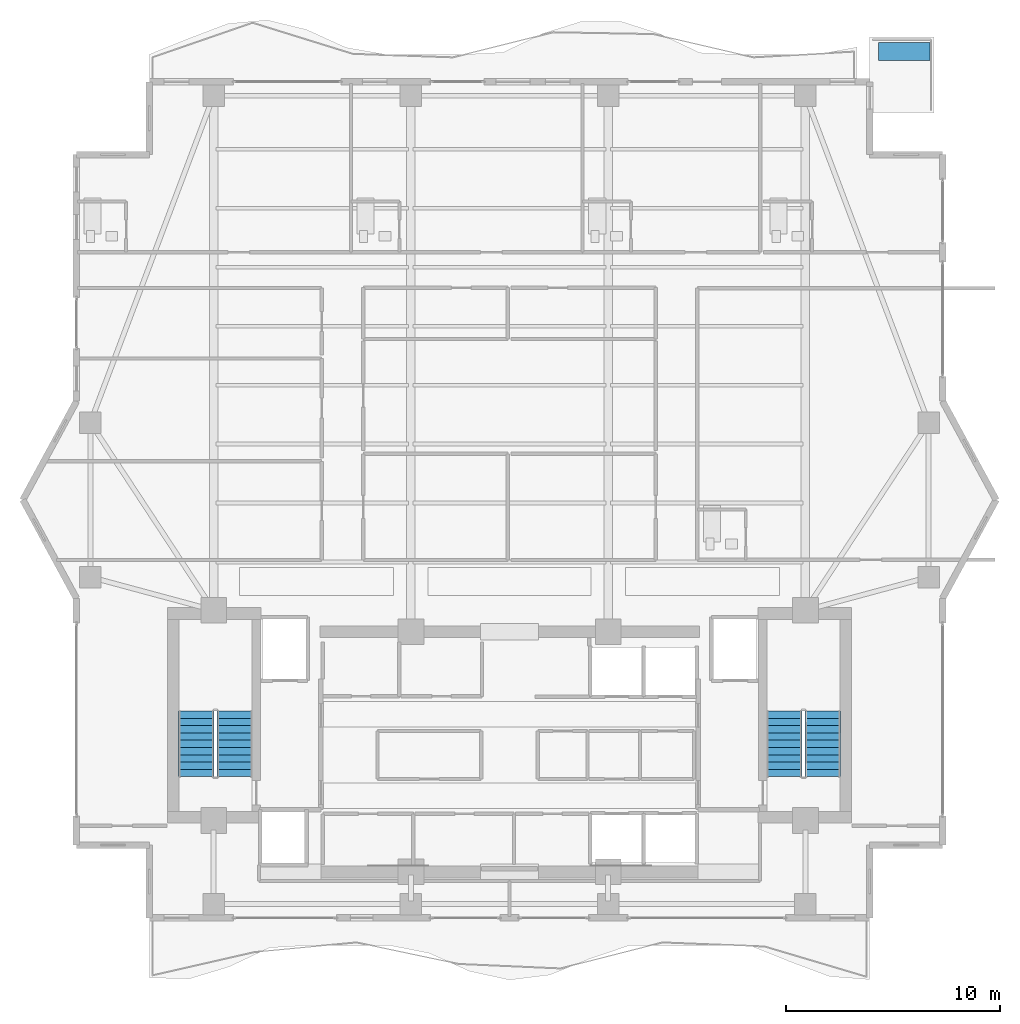
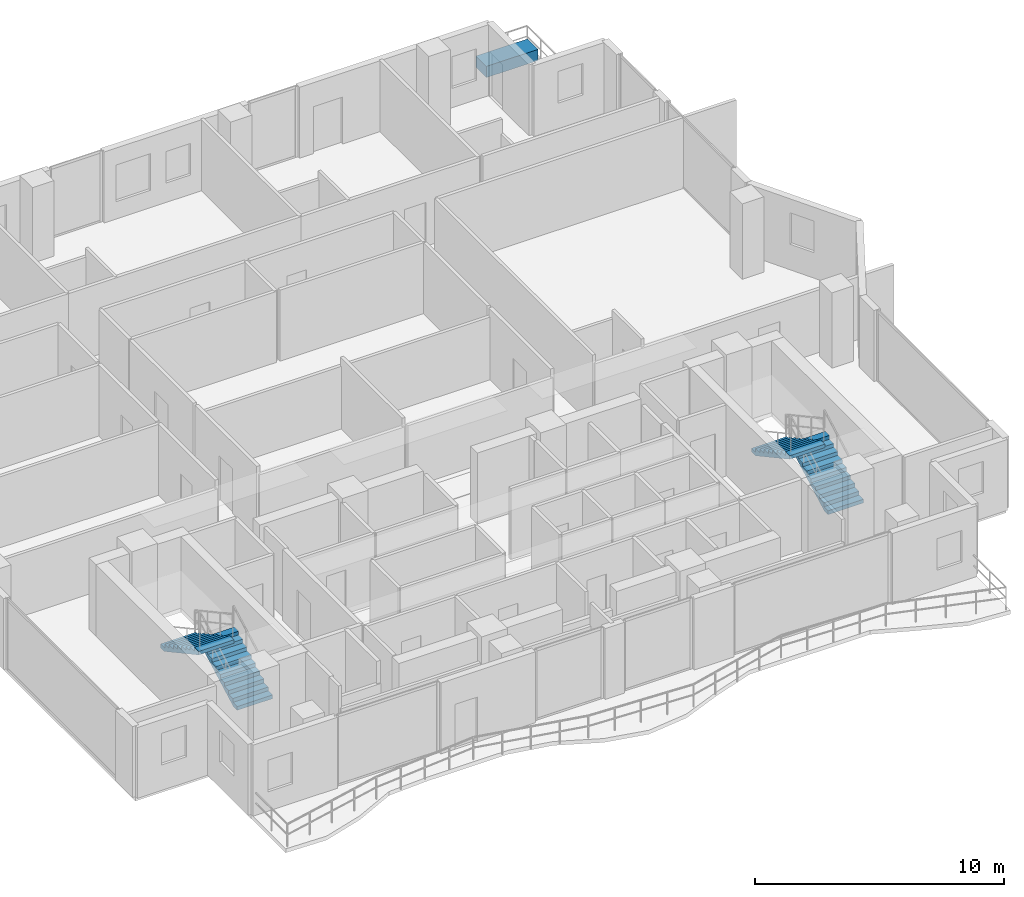
# One storey, part 21 of 24: 4 stair flights, 1 building element part, 2 elements without a shape of their own.
"""IFC4 building model written with IfcOpenShell, lengths in metres."""

import ifcopenshell
import ifcopenshell.guid

model = None  # the IFC model being written
_history = None  # IfcOwnerHistory: only IFC2X3 demands one
_inside = {}  # id of a spatial element -> (the spatial element, [elements in it])
_under = {}  # id of a project, library or spatial element -> (it, [spatial elements below it])
_declared = {}  # id of a project -> (the project, [libraries it declares])
_typed = {}  # id of a type object -> (the type object, [elements of that type])
_made_of = {}  # id of a material, layer set ... -> (it, [elements and type objects made of it])


def new_model(schema):
    """Start an empty IFC model of exactly this schema.

    Asked for "IFC4X3", IfcOpenShell would pick the latest addendum, in which some entities
    have other attributes; the version numbers below select the first issue.
    IFC2X3 requires an IfcOwnerHistory on every rooted entity: one is made here for all.
    """
    global model, _history
    if schema == "IFC4X3":
        model = ifcopenshell.file(schema_version=(4, 3, 0, 0))
    else:
        model = ifcopenshell.file(schema=schema)
    _inside.clear()
    _under.clear()
    _declared.clear()
    _typed.clear()
    _made_of.clear()
    _history = None
    if model.schema == "IFC2X3":
        org = make("IfcOrganization", Name="unknown")
        user = make(
            "IfcPersonAndOrganization",
            ThePerson=make("IfcPerson", FamilyName="unknown"),
            TheOrganization=org,
        )
        app = make(
            "IfcApplication",
            ApplicationDeveloper=org,
            Version="unknown",
            ApplicationFullName="unknown",
            ApplicationIdentifier="unknown",
        )
        _history = make(
            "IfcOwnerHistory",
            OwningUser=user,
            OwningApplication=app,
            ChangeAction="ADDED",
            CreationDate=0,
        )
    return model


def make(cls, **values):
    """One entity of the class cls with the attributes given. An attribute that is None is left unset."""
    return model.create_entity(
        cls, **{name: value for name, value in values.items() if value is not None}
    )


def rooted(cls, **values):
    """An entity with a GlobalId (a new one), such as an element, a storey or a relation."""
    return make(cls, GlobalId=ifcopenshell.guid.new(), OwnerHistory=_history, **values)


def si_unit(unit_type, name, prefix=None):
    """IfcSIUnit, for example si_unit("LENGTHUNIT", "METRE", prefix="MILLI")."""
    return make("IfcSIUnit", UnitType=unit_type, Prefix=prefix, Name=name)


def assignment(units):
    """IfcUnitAssignment: the units of a project."""
    return None if units is None else make("IfcUnitAssignment", Units=units)


def point(xyz):
    """IfcCartesianPoint."""
    return None if xyz is None else make("IfcCartesianPoint", Coordinates=xyz)


def direction(xyz):
    """IfcDirection."""
    return None if xyz is None else make("IfcDirection", DirectionRatios=xyz)


def frame(location, z_axis=None, x_axis=None):
    """IfcAxis2Placement3D, a coordinate frame: its origin and axes. An axis left out is left unset."""
    return make(
        "IfcAxis2Placement3D",
        Location=point(location),
        Axis=direction(z_axis),
        RefDirection=direction(x_axis),
    )


def frame_2d(location, x_axis=None):
    """IfcAxis2Placement2D, a coordinate frame in the plane: its origin and x axis."""
    return make(
        "IfcAxis2Placement2D", Location=point(location), RefDirection=direction(x_axis)
    )


def origin():
    """The frame at (0, 0, 0) with its axes left unset."""
    return frame((0.0, 0.0, 0.0))


def origin_2d():
    """The frame at (0, 0) in the plane with its x axis left unset."""
    return frame_2d((0.0, 0.0))


def place(relative_to, where):
    """IfcLocalPlacement: puts the frame where relative to a parent placement (None: the world)."""
    return make(
        "IfcLocalPlacement", PlacementRelTo=relative_to, RelativePlacement=where
    )


def context(
    kind, dimensions, precision=None, world=None, true_north=None, identifier=None
):
    """IfcGeometricRepresentationContext, for example the 3D "Model" context."""
    return make(
        "IfcGeometricRepresentationContext",
        ContextIdentifier=identifier,
        ContextType=kind,
        CoordinateSpaceDimension=dimensions,
        Precision=precision,
        WorldCoordinateSystem=world,
        TrueNorth=true_north,
    )


def subcontext(parent, identifier, kind, view, scale=None):
    """IfcGeometricRepresentationSubContext, for example "Body" below "Model"."""
    return make(
        "IfcGeometricRepresentationSubContext",
        ContextIdentifier=identifier,
        ContextType=kind,
        ParentContext=parent,
        TargetScale=scale,
        TargetView=view,
    )


def project(units=None, contexts=None):
    """IfcProject with its units and contexts."""
    return rooted(
        "IfcProject",
        Name="project",
        RepresentationContexts=contexts,
        UnitsInContext=assignment(units),
    )


def spatial(cls, under=None, at=None, **own):
    """A site, building, storey or space (cls), placed at a placement, below another one or the project."""
    s = rooted(cls, ObjectPlacement=at, **own)
    if under is not None:
        _under.setdefault(under.id(), (under, []))[1].append(s)
    return s


def polyline(points):
    """IfcPolyline through the points."""
    return make("IfcPolyline", Points=[point(p) for p in points])


def profile(cls, at=None, kind="AREA", **sizes):
    """A parametric profile (cls). Its sizes go by their IFC names, for example OverallWidth=200.0."""
    return make(cls, ProfileType=kind, Position=at, **sizes)


def rectangle(**sizes):
    """IfcRectangleProfileDef."""
    return profile("IfcRectangleProfileDef", **sizes)


def outline(outer, holes=None, kind="AREA"):
    """IfcArbitraryClosedProfileDef: a profile drawn as a closed curve; with holes, ...WithVoids."""
    if holes is None:
        return make("IfcArbitraryClosedProfileDef", ProfileType=kind, OuterCurve=outer)
    return make(
        "IfcArbitraryProfileDefWithVoids",
        ProfileType=kind,
        OuterCurve=outer,
        InnerCurves=holes,
    )


def extrude(swept, where, along, depth):
    """IfcExtrudedAreaSolid: the profile swept, set in the frame where, extruded along a direction by depth."""
    return make(
        "IfcExtrudedAreaSolid",
        SweptArea=swept,
        Position=where,
        ExtrudedDirection=direction(along),
        Depth=depth,
    )


def shape(context_of_items, identifier, shape_type, items):
    """IfcShapeRepresentation: the items that make up one representation, for example the "Body"."""
    return make(
        "IfcShapeRepresentation",
        ContextOfItems=context_of_items,
        RepresentationIdentifier=identifier,
        RepresentationType=shape_type,
        Items=items,
    )


def material(Name=None, Category=None):
    """IfcMaterial."""
    return make("IfcMaterial", Name=Name, Category=Category)


def layer(
    of_material, thickness, ventilated=None, Name=None, Category=None, Priority=None
):
    """IfcMaterialLayer: one layer of a wall or slab, of a material (None: an air gap)."""
    return make(
        "IfcMaterialLayer",
        Material=of_material,
        LayerThickness=thickness,
        IsVentilated=ventilated,
        Name=Name,
        Category=Category,
        Priority=Priority,
    )


def layer_set(layers, Name=None):
    """IfcMaterialLayerSet."""
    return make("IfcMaterialLayerSet", MaterialLayers=layers, LayerSetName=Name)


def made_of(thing, what):
    """Note that an element or type object is made of a material, layer set ...; save() writes the relation."""
    if what is not None:
        _made_of.setdefault(what.id(), (what, []))[1].append(thing)
    return thing


def type_object(cls, material=None, **own):
    """A type object (cls), such as IfcWallType, which elements share."""
    return made_of(rooted(cls, **own), material)


def element(
    cls,
    number,
    at=None,
    inside=None,
    cuts=None,
    type_object=None,
    material=None,
    context=None,
    identifier="Body",
    shape_type=None,
    held_by="IfcProductDefinitionShape",
    body=None,
    shapes=None,
    **own,
):
    """One element of the class cls, such as IfcWall. Its Tag is "e" and its number.

    at: its placement. inside: the storey or other place that contains it. cuts: it is an
    opening in that element (IfcRelVoidsElement). A single representation is given by context,
    identifier, shape_type and body (its items); several are given by shapes. held_by: the class
    of the entity that holds the representations. save() writes the other relations.
    """
    e = rooted(cls, Tag="e%d" % number, ObjectPlacement=at, **own)
    if body is not None:
        shapes = [shape(context, identifier, shape_type, body)]
    if shapes is not None:
        e.Representation = make(held_by, Representations=shapes)
    if inside is not None:
        _inside.setdefault(inside.id(), (inside, []))[1].append(e)
    if cuts is not None:
        rooted(
            "IfcRelVoidsElement", RelatingBuildingElement=cuts, RelatedOpeningElement=e
        )
    if type_object is not None:
        _typed.setdefault(type_object.id(), (type_object, []))[1].append(e)
    return made_of(e, material)


def aggregate(whole, parts):
    """IfcRelAggregates: a whole, such as a stair, and the parts it consists of."""
    return rooted("IfcRelAggregates", RelatingObject=whole, RelatedObjects=parts)


def save(model, path):
    """Write the relations noted so far, then the file.

    IfcRelAggregates (storeys below a building ...), IfcRelContainedInSpatialStructure (elements
    in a storey), IfcRelDefinesByType, IfcRelAssociatesMaterial and IfcRelDeclares: one each for
    every whole, place, type object, material and project.
    """
    for whole, parts in _under.values():
        aggregate(whole, parts)
    for where, things in _inside.values():
        rooted(
            "IfcRelContainedInSpatialStructure",
            RelatedElements=things,
            RelatingStructure=where,
        )
    for kind, things in _typed.values():
        rooted("IfcRelDefinesByType", RelatedObjects=things, RelatingType=kind)
    for what, things in _made_of.values():
        rooted("IfcRelAssociatesMaterial", RelatedObjects=things, RelatingMaterial=what)
    for by, libraries in _declared.values():
        rooted("IfcRelDeclares", RelatingContext=by, RelatedDefinitions=libraries)
    model.write(path)


model = new_model("IFC4")

# Units and contexts
model_context = context("Model", 3, precision=1e-05, world=origin(), true_north=direction((0.0, 1.0)))
body_context = subcontext(model_context, "Body", "Model", "MODEL_VIEW")
ifc_project = project(units=[si_unit("LENGTHUNIT", "METRE"), si_unit("AREAUNIT", "SQUARE_METRE"), si_unit("VOLUMEUNIT", "CUBIC_METRE"), si_unit("PLANEANGLEUNIT", "RADIAN"), si_unit("MASSUNIT", "GRAM", prefix="KILO")], contexts=[model_context])

# Site, building, storey
site_placement = place(None, origin())
site = spatial("IfcSite", under=ifc_project, at=site_placement, CompositionType="ELEMENT")
building_placement = place(site_placement, origin())
building = spatial("IfcBuilding", under=site, at=building_placement, Name="Zuhayl Quay Hotel", CompositionType="ELEMENT")
storey_placement = place(building_placement, frame((0.0, 0.0, 269.25)))
storey = spatial("IfcBuildingStorey", under=building, at=storey_placement, Name="L68", CompositionType="ELEMENT", Elevation=269.25)

# Stair, stair flights
ifc_material_1 = material(Name="Concrete C45/55", Category="concrete")
stair_type = type_object("IfcStairType", Name="ST_DOGLEG_TOWER", PredefinedType="HALF_TURN_STAIR", material=ifc_material_1)
stair_1_placement = place(storey_placement, origin())
stair_1 = element("IfcStair", 1, at=stair_1_placement, inside=storey, type_object=stair_type, Name="L68 Smokeproof Exit Stair ST1", PredefinedType="HALF_TURN_STAIR")
ifc_layer_1 = layer(ifc_material_1, 0.159912109375, Name="Concrete C45/55", Category="concrete")
ifc_layer_set_1 = layer_set([ifc_layer_1], Name="Concrete C45/55")
stair_flight_type = type_object("IfcStairFlightType", Name="SF_CONC_164", PredefinedType="STRAIGHT", material=ifc_layer_set_1)
stair_flight_1_placement = place(storey_placement, frame((-12.820068359375, 6.590087890625, 0.0), z_axis=(0.0, 0.0, 1.0), x_axis=(0.0, 1.0, 0.0)))
stair_flight_1 = element("IfcStairFlight", 2, at=stair_flight_1_placement, type_object=stair_flight_type, Name="ST1 flight 1", NumberOfRisers=10, NumberOfTreads=9, PredefinedType="STRAIGHT", RiserHeight=0.185, TreadLength=0.34, context=body_context, shape_type="SweptSolid", body=[
    extrude(outline(polyline([(0.0, 0.0), (0.0, 0.18505859375), (0.340087890625, 0.18505859375), (0.340087890625, 0.3701171875), (0.679931640625, 0.3701171875), (0.679931640625, 0.554931640625), (1.02001953125, 0.554931640625), (1.02001953125, 0.739990234375), (1.360107421875, 0.739990234375), (1.360107421875, 0.925048828125), (1.699951171875, 0.925048828125), (1.699951171875, 1.110107421875), (2.0400390625, 1.110107421875), (2.0400390625, 1.294921875), (2.3798828125, 1.294921875), (2.3798828125, 1.47998046875), (2.719970703125, 1.47998046875), (2.719970703125, 1.6650390625), (3.06005859375, 1.6650390625), (3.06005859375, 1.85009765625), (3.06005859375, 1.494384765625), (0.313720703125, 0.0), (0.0, 0.0)])), frame((0.0, 0.81982421875, 0.0), z_axis=(0.0, -1.0, 0.0), x_axis=(1.0, 0.0, 0.0)), (0.0, 0.0, 1.0), 1.639892578125),
])
stair_flight_2_placement = place(storey_placement, frame((-14.610107421875, 9.64990234375, 1.85009765625), z_axis=(0.0, 0.0, 1.0), x_axis=(0.0, -1.0, 0.0)))
stair_flight_2 = element("IfcStairFlight", 3, at=stair_flight_2_placement, type_object=stair_flight_type, Name="ST1 flight 2", NumberOfRisers=10, NumberOfTreads=9, PredefinedType="STRAIGHT", RiserHeight=0.185, TreadLength=0.34, context=body_context, shape_type="SweptSolid", body=[
    extrude(outline(polyline([(0.0, 0.0), (0.0, 0.18505859375), (0.340087890625, 0.18505859375), (0.340087890625, 0.3701171875), (0.679931640625, 0.3701171875), (0.679931640625, 0.554931640625), (1.02001953125, 0.554931640625), (1.02001953125, 0.739990234375), (1.360107421875, 0.739990234375), (1.360107421875, 0.925048828125), (1.699951171875, 0.925048828125), (1.699951171875, 1.110107421875), (2.0400390625, 1.110107421875), (2.0400390625, 1.294921875), (2.3798828125, 1.294921875), (2.3798828125, 1.47998046875), (2.719970703125, 1.47998046875), (2.719970703125, 1.6650390625), (3.06005859375, 1.6650390625), (3.06005859375, 1.85009765625), (3.06005859375, 1.494384765625), (0.313720703125, 0.0), (0.0, 0.0)])), frame((0.0, 0.81982421875, 0.0), z_axis=(0.0, -1.0, 0.0), x_axis=(1.0, 0.0, 0.0)), (0.0, 0.0, 1.0), 1.639892578125),
])
aggregate(stair_1, [stair_flight_1, stair_flight_2])

stair_2_placement = place(storey_placement, origin())
stair_2 = element("IfcStair", 4, at=stair_2_placement, inside=storey, type_object=stair_type, Name="L68 Smokeproof Exit Stair ST2", PredefinedType="HALF_TURN_STAIR")
stair_flight_3_placement = place(storey_placement, frame((14.610107421875, 6.590087890625, 0.0), z_axis=(0.0, 0.0, 1.0), x_axis=(0.0, 1.0, 0.0)))
stair_flight_3 = element("IfcStairFlight", 5, at=stair_flight_3_placement, type_object=stair_flight_type, Name="ST2 flight 1", NumberOfRisers=10, NumberOfTreads=9, PredefinedType="STRAIGHT", RiserHeight=0.185, TreadLength=0.34, context=body_context, shape_type="SweptSolid", body=[
    extrude(outline(polyline([(0.0, 0.0), (0.0, 0.18505859375), (0.340087890625, 0.18505859375), (0.340087890625, 0.3701171875), (0.679931640625, 0.3701171875), (0.679931640625, 0.554931640625), (1.02001953125, 0.554931640625), (1.02001953125, 0.739990234375), (1.360107421875, 0.739990234375), (1.360107421875, 0.925048828125), (1.699951171875, 0.925048828125), (1.699951171875, 1.110107421875), (2.0400390625, 1.110107421875), (2.0400390625, 1.294921875), (2.3798828125, 1.294921875), (2.3798828125, 1.47998046875), (2.719970703125, 1.47998046875), (2.719970703125, 1.6650390625), (3.06005859375, 1.6650390625), (3.06005859375, 1.85009765625), (3.06005859375, 1.494384765625), (0.313720703125, 0.0), (0.0, 0.0)])), frame((0.0, 0.81982421875, 0.0), z_axis=(0.0, -1.0, 0.0), x_axis=(1.0, 0.0, 0.0)), (0.0, 0.0, 1.0), 1.639892578125),
])
stair_flight_4_placement = place(storey_placement, frame((12.820068359375, 9.64990234375, 1.85009765625), z_axis=(0.0, 0.0, 1.0), x_axis=(0.0, -1.0, 0.0)))
stair_flight_4 = element("IfcStairFlight", 6, at=stair_flight_4_placement, type_object=stair_flight_type, Name="ST2 flight 2", NumberOfRisers=10, NumberOfTreads=9, PredefinedType="STRAIGHT", RiserHeight=0.185, TreadLength=0.34, context=body_context, shape_type="SweptSolid", body=[
    extrude(outline(polyline([(0.0, 0.0), (0.0, 0.18505859375), (0.340087890625, 0.18505859375), (0.340087890625, 0.3701171875), (0.679931640625, 0.3701171875), (0.679931640625, 0.554931640625), (1.02001953125, 0.554931640625), (1.02001953125, 0.739990234375), (1.360107421875, 0.739990234375), (1.360107421875, 0.925048828125), (1.699951171875, 0.925048828125), (1.699951171875, 1.110107421875), (2.0400390625, 1.110107421875), (2.0400390625, 1.294921875), (2.3798828125, 1.294921875), (2.3798828125, 1.47998046875), (2.719970703125, 1.47998046875), (2.719970703125, 1.6650390625), (3.06005859375, 1.6650390625), (3.06005859375, 1.85009765625), (3.06005859375, 1.494384765625), (0.313720703125, 0.0), (0.0, 0.0)])), frame((0.0, 0.81982421875, 0.0), z_axis=(0.0, -1.0, 0.0), x_axis=(1.0, 0.0, 0.0)), (0.0, 0.0, 1.0), 1.639892578125),
])
aggregate(stair_2, [stair_flight_3, stair_flight_4])

# Building element part
ifc_material_2 = material(Name="Precast concrete C45/55", Category="concrete")
ifc_layer_2 = layer(ifc_material_2, 0.550048828125, Name="Precast concrete C45/55", Category="concrete")
ifc_layer_set_2 = layer_set([ifc_layer_2], Name="Precast concrete C45/55")
building_element_part_type = type_object("IfcBuildingElementPartType", Name="PT_PLANTER_KERB", PredefinedType="PRECASTPANEL", material=ifc_layer_set_2)
building_element_part_placement = place(storey_placement, frame((18.409912109375, 40.409912109375, 0.0), z_axis=(0.0, 0.0, 1.0), x_axis=(1.0, 0.0, 0.0)))
element("IfcBuildingElementPart", 7, at=building_element_part_placement, inside=storey, type_object=building_element_part_type, Name="L68 Spiral Sky-Terrace Planter Box NE", PredefinedType="PRECASTPANEL", context=body_context, shape_type="SweptSolid", body=[
    extrude(rectangle(XDim=2.39990234375, YDim=0.85009765625, at=origin_2d()), origin(), (0.0, 0.0, 1.0), 0.550048828125),
])

save(model, "model.ifc")
